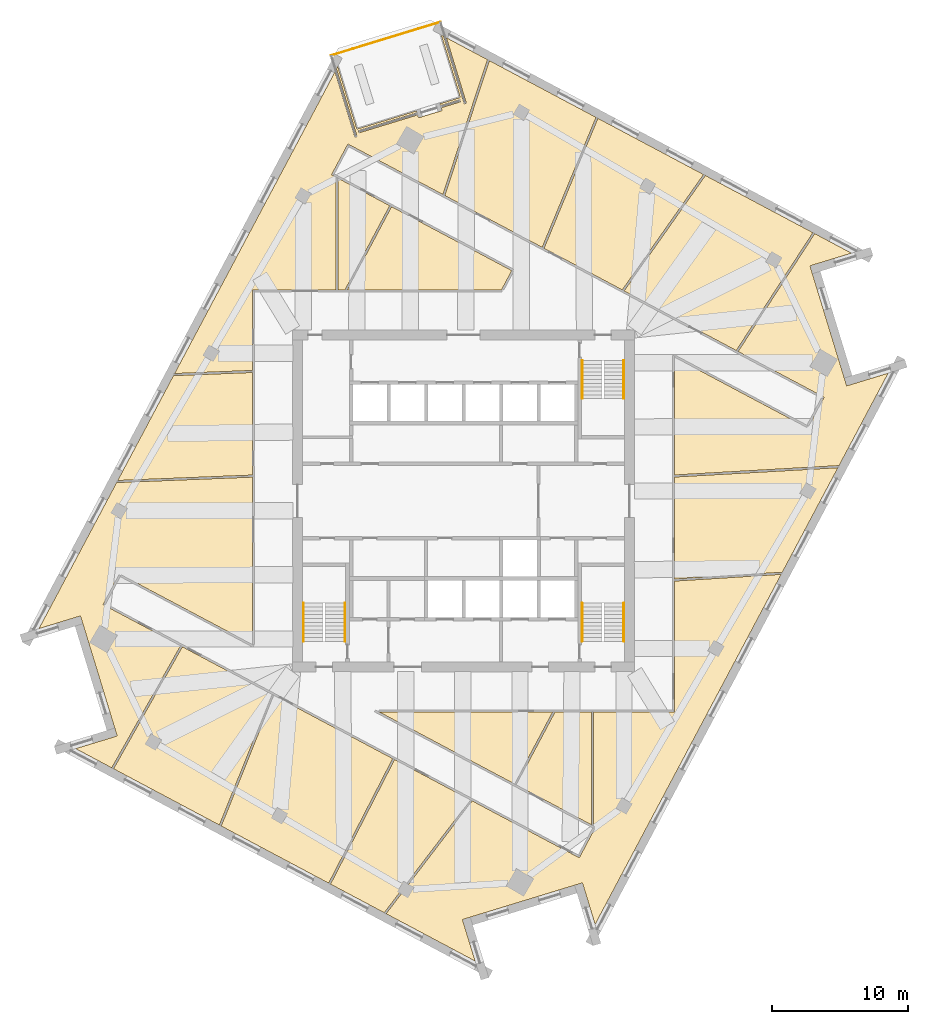
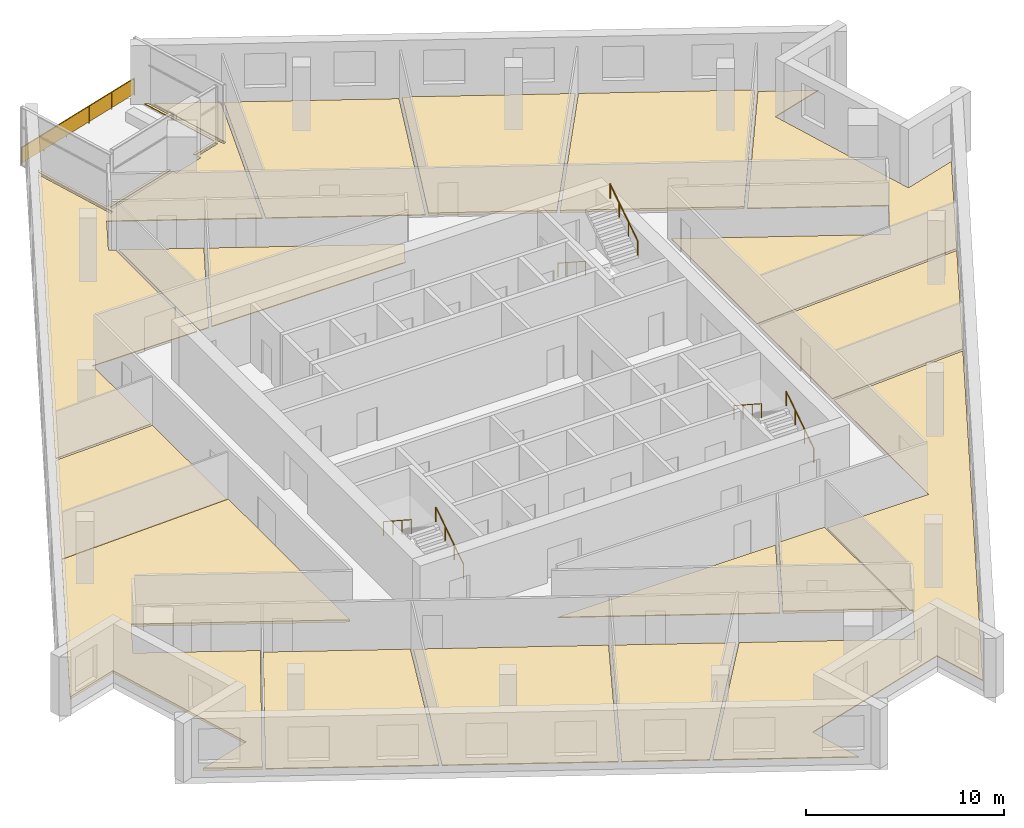
# One storey, part 12 of 13: 16 coverings, 7 railings.
"""IFC4 building model written with IfcOpenShell, lengths in metres."""

from ifc_helpers import new_model, si_unit, direction, frame, origin, origin_2d, place, context, subcontext, project, spatial, polyline, rectangle, circle, outline, extrude, material, layer, layer_set, type_object, element, save


model = new_model("IFC4")

# Units and contexts
model_context = context("Model", 3, precision=1e-05, world=origin(), true_north=direction((0.0, 1.0)))
body_context = subcontext(model_context, "Body", "Model", "MODEL_VIEW")
ifc_project = project(units=[si_unit("LENGTHUNIT", "METRE"), si_unit("AREAUNIT", "SQUARE_METRE"), si_unit("VOLUMEUNIT", "CUBIC_METRE"), si_unit("PLANEANGLEUNIT", "RADIAN"), si_unit("MASSUNIT", "GRAM", prefix="KILO")], contexts=[model_context])

# Site, building, storey
site_placement = place(None, origin())
site = spatial("IfcSite", under=ifc_project, at=site_placement, CompositionType="ELEMENT")
building_placement = place(site_placement, origin())
building = spatial("IfcBuilding", under=site, at=building_placement, Name="Dilmun Exchange Tower", CompositionType="ELEMENT")
storey_placement = place(building_placement, frame((0.0, 0.0, 278.89990234375)))
storey = spatial("IfcBuildingStorey", under=building, at=storey_placement, Name="L66", CompositionType="ELEMENT", Elevation=278.89990234375)

# Coverings
ifc_material_1 = material(Name="Carpet floor finish 50")
ifc_layer_1 = layer(ifc_material_1, 0.050048828125)
ifc_layer_set_1 = layer_set([ifc_layer_1], Name="Carpet floor finish 50")
covering_type_1 = type_object("IfcCoveringType", Name="Carpet floor finish 50", PredefinedType="FLOORING", material=ifc_layer_set_1)
covering_1_placement = place(storey_placement, origin())
element("IfcCovering", 1, at=covering_1_placement, inside=storey, type_object=covering_type_1, Name="Carpet floor finish 50 Regulator office 1", PredefinedType="FLOORING", context=body_context, shape_type="SweptSolid", body=[
    extrude(outline(polyline([(-15.47509765625, 9.41845703125), (-15.47509765625, 1.894287109375), (-25.36328125, 1.49853515625), (-21.27587890625, 9.18603515625), (-15.47509765625, 9.41845703125)])), origin(), (0.0, 0.0, 1.0), 0.050048828125),
])
covering_2_placement = place(storey_placement, origin())
element("IfcCovering", 2, at=covering_2_placement, inside=storey, type_object=covering_type_1, Name="Carpet floor finish 50 Research library 1", PredefinedType="FLOORING", context=body_context, shape_type="SweptSolid", body=[
    extrude(outline(polyline([(-14.049560546875, -14.189453125), (-17.90673828125, -23.774169921875), (-25.670654296875, -19.64599609375), (-20.620849609375, -10.695556640625), (-14.049560546875, -14.189453125)])), origin(), (0.0, 0.0, 1.0), 0.050048828125),
])
covering_3_placement = place(storey_placement, origin())
element("IfcCovering", 3, at=covering_3_placement, inside=storey, type_object=covering_type_1, Name="Carpet floor finish 50 Regulator office 2", PredefinedType="FLOORING", context=body_context, shape_type="SweptSolid", body=[
    extrude(outline(polyline([(-5.194091796875, -18.89794921875), (-9.89208984375, -28.035400390625), (-17.773681640625, -23.844970703125), (-13.916259765625, -14.26025390625), (-5.194091796875, -18.89794921875)])), origin(), (0.0, 0.0, 1.0), 0.050048828125),
])
covering_4_placement = place(storey_placement, origin())
element("IfcCovering", 4, at=covering_4_placement, inside=storey, type_object=covering_type_1, Name="Carpet floor finish 50 Garden lounge", PredefinedType="FLOORING", context=body_context, shape_type="SweptSolid", body=[
    extrude(outline(polyline([(-9.368896484375, 15.47509765625), (-15.47509765625, 15.47509765625), (-15.47509765625, 9.568603515625), (-21.194091796875, 9.339599609375), (-9.428466796875, 31.467529296875), (-7.962890625, 26.673583984375), (-7.962890625, 26.67333984375), (-7.962646484375, 26.673095703125), (-7.962646484375, 26.673095703125), (-7.96240234375, 26.6728515625), (-7.96240234375, 26.672607421875), (-7.962158203125, 26.672607421875), (-7.9619140625, 26.67236328125), (-7.9619140625, 26.67236328125), (-7.961669921875, 26.67236328125), (-7.96142578125, 26.672119140625), (-7.961181640625, 26.672119140625), (-7.961181640625, 26.672119140625), (-7.9609375, 26.672119140625), (-7.960693359375, 26.672119140625), (-7.96044921875, 26.672119140625), (-7.960205078125, 26.672119140625), (-7.807373046875, 26.718994140625), (-7.80712890625, 26.718994140625), (-7.806884765625, 26.718994140625), (-7.806884765625, 26.71923828125), (-7.806640625, 26.71923828125), (-7.806396484375, 26.719482421875), (-7.806396484375, 26.719482421875), (-7.80615234375, 26.7197265625), (-7.80615234375, 26.719970703125), (-7.805908203125, 26.72021484375), (-7.805908203125, 26.72021484375), (-7.805908203125, 26.720458984375), (-7.805908203125, 26.720703125), (-7.805908203125, 26.720947265625), (-7.805908203125, 26.72119140625), (-7.805908203125, 26.72119140625), (-7.805908203125, 26.721435546875), (-9.319580078125, 31.67236328125), (-9.224609375, 31.850830078125), (-7.82275390625, 27.265380859375), (-3.4599609375, 28.59912109375), (-3.418212890625, 28.46240234375), (-7.709228515625, 27.150390625), (-7.70947265625, 27.150390625), (-7.70947265625, 27.150390625), (-7.709716796875, 27.150390625), (-7.7099609375, 27.150146484375), (-7.7099609375, 27.14990234375), (-7.710205078125, 27.14990234375), (-7.710205078125, 27.149658203125), (-7.71044921875, 27.1494140625), (-7.71044921875, 27.1494140625), (-7.71044921875, 27.149169921875), (-7.710693359375, 27.14892578125), (-7.710693359375, 27.148681640625), (-7.710693359375, 27.148681640625), (-7.710693359375, 27.1484375), (-7.710693359375, 27.148193359375), (-7.71044921875, 27.14794921875), (-7.663818359375, 26.9951171875), (-7.663818359375, 26.994873046875), (-7.66357421875, 26.99462890625), (-7.66357421875, 26.994384765625), (-7.663330078125, 26.994384765625), (-7.6630859375, 26.994140625), (-7.6630859375, 26.993896484375), (-7.662841796875, 26.993896484375), (-7.66259765625, 26.993896484375), (-7.66259765625, 26.99365234375), (-7.662353515625, 26.99365234375), (-7.662109375, 26.99365234375), (-7.662109375, 26.99365234375), (-7.661865234375, 26.99365234375), (-7.66162109375, 26.99365234375), (-7.661376953125, 26.99365234375), (-7.6611328125, 26.99365234375), (-3.3701171875, 28.3056640625), (-3.306396484375, 28.09716796875), (-3.306396484375, 28.096923828125), (-3.306396484375, 28.0966796875), (-3.306396484375, 28.0966796875), (-3.30615234375, 28.096435546875), (-3.305908203125, 28.09619140625), (-3.305908203125, 28.09619140625), (-3.3056640625, 28.095947265625), (-3.305419921875, 28.095947265625), (-3.305419921875, 28.095947265625), (-3.30517578125, 28.095703125), (-3.304931640625, 28.095703125), (-3.3046875, 28.095703125), (-3.3046875, 28.095703125), (-3.304443359375, 28.095703125), (-3.30419921875, 28.095703125), (-3.303955078125, 28.095703125), (-1.58251953125, 28.6220703125), (-1.58251953125, 28.6220703125), (-1.582275390625, 28.6220703125), (-1.58203125, 28.622314453125), (-1.581787109375, 28.622314453125), (-1.581787109375, 28.62255859375), (-1.581787109375, 28.62255859375), (-1.58154296875, 28.622802734375), (-1.581298828125, 28.623046875), (-1.581298828125, 28.623046875), (-1.581298828125, 28.623291015625), (-1.581298828125, 28.62353515625), (-1.581298828125, 28.623779296875), (-1.581298828125, 28.623779296875), (-1.581298828125, 28.6240234375), (-1.581298828125, 28.624267578125), (-1.581298828125, 28.62451171875), (-1.64501953125, 28.8330078125), (-0.222900390625, 29.267822265625), (-0.22265625, 29.267822265625), (-0.22265625, 29.267822265625), (-0.222412109375, 29.26806640625), (-0.22216796875, 29.268310546875), (-0.22216796875, 29.268310546875), (-0.221923828125, 29.268310546875), (-0.2216796875, 29.2685546875), (-0.2216796875, 29.268798828125), (-0.2216796875, 29.268798828125), (-0.2216796875, 29.26904296875), (-0.221435546875, 29.269287109375), (-0.221435546875, 29.26953125), (-0.221435546875, 29.269775390625), (-0.221435546875, 29.27001953125), (-0.221435546875, 29.27001953125), (-0.2216796875, 29.270263671875), (-0.268310546875, 29.42333984375), (-0.268310546875, 29.423583984375), (-0.2685546875, 29.423583984375), (-0.2685546875, 29.423828125), (-0.268798828125, 29.424072265625), (-0.268798828125, 29.424072265625), (-0.26904296875, 29.42431640625), (-0.269287109375, 29.42431640625), (-0.269287109375, 29.424560546875), (-0.26953125, 29.424560546875), (-0.269775390625, 29.424560546875), (-0.27001953125, 29.4248046875), (-0.27001953125, 29.4248046875), (-0.270263671875, 29.4248046875), (-0.2705078125, 29.4248046875), (-0.270751953125, 29.4248046875), (-0.27099609375, 29.424560546875), (-1.693115234375, 28.98974609375), (-1.73486328125, 29.126708984375), (-0.240966796875, 29.583251953125), (-1.642822265625, 34.1689453125), (-1.46435546875, 34.073974609375), (0.04931640625, 29.123046875), (0.04931640625, 29.122802734375), (0.04931640625, 29.122802734375), (0.049560546875, 29.12255859375), (0.0498046875, 29.122314453125), (0.0498046875, 29.122314453125), (0.0498046875, 29.1220703125), (0.050048828125, 29.121826171875), (0.05029296875, 29.121826171875), (0.05029296875, 29.121826171875), (0.050537109375, 29.12158203125), (0.05078125, 29.12158203125), (0.051025390625, 29.12158203125), (0.05126953125, 29.12158203125), (0.051513671875, 29.12158203125), (0.051513671875, 29.12158203125), (0.0517578125, 29.12158203125), (0.204833984375, 29.16845703125), (0.205078125, 29.16845703125), (0.205078125, 29.168701171875), (0.205322265625, 29.168701171875), (0.20556640625, 29.168701171875), (0.20556640625, 29.1689453125), (0.205810546875, 29.169189453125), (0.205810546875, 29.169189453125), (0.2060546875, 29.16943359375), (0.2060546875, 29.169677734375), (0.2060546875, 29.169921875), (0.206298828125, 29.169921875), (0.206298828125, 29.170166015625), (0.206298828125, 29.17041015625), (0.206298828125, 29.170654296875), (0.206298828125, 29.1708984375), (0.2060546875, 29.1708984375), (-1.259521484375, 33.965087890625), (1.754638671875, 32.3623046875), (-1.515380859375, 22.465576171875), (-8.48193359375, 26.169677734375), (-9.67919921875, 23.918212890625), (-9.368896484375, 23.75341796875), (-9.368896484375, 15.47509765625)])), origin(), (0.0, 0.0, 1.0), 0.050048828125),
])
covering_5_placement = place(storey_placement, origin())
element("IfcCovering", 5, at=covering_5_placement, inside=storey, type_object=covering_type_1, Name="Carpet floor finish 50 Regulator office 3", PredefinedType="FLOORING", context=body_context, shape_type="SweptSolid", body=[
    extrude(outline(polyline([(0.49951171875, -21.92529296875), (-5.816650390625, -30.202392578125), (-9.759765625, -28.10595703125), (-5.0615234375, -18.968505859375), (0.49951171875, -21.92529296875)])), origin(), (0.0, 0.0, 1.0), 0.050048828125),
])
covering_6_placement = place(storey_placement, origin())
element("IfcCovering", 6, at=covering_6_placement, inside=storey, type_object=covering_type_1, Name="Carpet floor finish 50 Regulator office 4", PredefinedType="FLOORING", context=body_context, shape_type="SweptSolid", body=[
    extrude(outline(polyline([(3.537353515625, 16.890869140625), (2.78466796875, 15.47509765625), (-8.526611328125, 15.47509765625), (-5.28076171875, 21.579345703125), (3.537353515625, 16.890869140625)])), origin(), (0.0, 0.0, 1.0), 0.050048828125),
])
covering_7_placement = place(storey_placement, origin())
element("IfcCovering", 7, at=covering_7_placement, inside=storey, type_object=covering_type_1, Name="Carpet floor finish 50 Regulator office 5", PredefinedType="FLOORING", context=body_context, shape_type="SweptSolid", body=[
    extrude(outline(polyline([(-0.740966796875, -18.377685546875), (-6.2001953125, -15.47509765625), (6.538818359375, -15.47509765625), (3.731201171875, -20.755615234375), (-0.740966796875, -18.377685546875)])), origin(), (0.0, 0.0, 1.0), 0.050048828125),
])
covering_8_placement = place(storey_placement, origin())
element("IfcCovering", 8, at=covering_8_placement, inside=storey, type_object=covering_type_1, Name="Carpet floor finish 50 Supervision hall", PredefinedType="FLOORING", context=body_context, shape_type="SweptSolid", body=[
    extrude(outline(polyline([(1.888916015625, 32.291015625), (9.716064453125, 28.129150390625), (5.76611328125, 18.59375), (-1.381103515625, 22.39404296875), (1.888916015625, 32.291015625)])), origin(), (0.0, 0.0, 1.0), 0.050048828125),
])
covering_9_placement = place(storey_placement, origin())
element("IfcCovering", 9, at=covering_9_placement, inside=storey, type_object=covering_type_1, Name="Carpet floor finish 50 Research library 2", PredefinedType="FLOORING", context=body_context, shape_type="SweptSolid", body=[
    extrude(outline(polyline([(15.47509765625, -15.47509765625), (15.47509765625, -5.87890625), (23.29638671875, -5.385986328125), (9.648193359375, -31.054443359375), (8.7177734375, -28.01123046875), (8.7177734375, -28.010986328125), (8.7177734375, -28.0107421875), (8.717529296875, -28.0107421875), (8.71728515625, -28.010498046875), (8.71728515625, -28.010498046875), (8.71728515625, -28.01025390625), (8.717041015625, -28.010009765625), (8.716796875, -28.010009765625), (8.716796875, -28.010009765625), (8.716552734375, -28.010009765625), (8.71630859375, -28.009765625), (8.716064453125, -28.009765625), (8.7158203125, -28.009765625), (8.7158203125, -28.009765625), (8.715576171875, -28.009765625), (8.71533203125, -28.010009765625), (8.1416015625, -28.185302734375), (8.141357421875, -28.185302734375), (8.141357421875, -28.185302734375), (0.4912109375, -30.5244140625), (-0.082763671875, -30.69970703125), (-0.0830078125, -30.69970703125), (-0.0830078125, -30.69970703125), (-0.083251953125, -30.699951171875), (-0.08349609375, -30.7001953125), (-0.08349609375, -30.7001953125), (-0.08349609375, -30.7001953125), (-0.083740234375, -30.700439453125), (-0.083984375, -30.70068359375), (-0.083984375, -30.70068359375), (-0.083984375, -30.700927734375), (-0.083984375, -30.701171875), (-0.083984375, -30.701416015625), (-0.083984375, -30.70166015625), (-0.083984375, -30.701904296875), (-0.083984375, -30.701904296875), (-0.083984375, -30.7021484375), (0.846435546875, -33.745361328125), (-5.6826171875, -30.27392578125), (0.633544921875, -21.99658203125), (8.48193359375, -26.169677734375), (9.67919921875, -23.918212890625), (9.53662109375, -23.84228515625), (9.53662109375, -15.47509765625), (15.47509765625, -15.47509765625)])), origin(), (0.0, 0.0, 1.0), 0.050048828125),
])
covering_10_placement = place(storey_placement, origin())
element("IfcCovering", 10, at=covering_10_placement, inside=storey, type_object=covering_type_1, Name="Carpet floor finish 50 Regulator office 6", PredefinedType="FLOORING", context=body_context, shape_type="SweptSolid", body=[
    extrude(outline(polyline([(15.47509765625, 1.750244140625), (27.454345703125, 2.43408203125), (23.37890625, -5.230712890625), (15.47509765625, -5.728515625), (15.47509765625, 1.750244140625)])), origin(), (0.0, 0.0, 1.0), 0.050048828125),
])
covering_11_placement = place(storey_placement, origin())
element("IfcCovering", 11, at=covering_11_placement, inside=storey, type_object=covering_type_1, Name="Carpet floor finish 50 Regulator office 7", PredefinedType="FLOORING", context=body_context, shape_type="SweptSolid", body=[
    extrude(outline(polyline([(25.241455078125, 5.3505859375), (26.438720703125, 7.60205078125), (20.131591796875, 10.95556640625), (25.7529296875, 19.602294921875), (28.449462890625, 18.16845703125), (25.40625, 17.238037109375), (25.406005859375, 17.238037109375), (25.406005859375, 17.238037109375), (25.40576171875, 17.23779296875), (25.405517578125, 17.23779296875), (25.405517578125, 17.237548828125), (25.4052734375, 17.237548828125), (25.4052734375, 17.2373046875), (25.405029296875, 17.237060546875), (25.405029296875, 17.237060546875), (25.405029296875, 17.23681640625), (25.40478515625, 17.236572265625), (25.40478515625, 17.236328125), (25.40478515625, 17.236083984375), (25.40478515625, 17.236083984375), (25.40478515625, 17.23583984375), (25.405029296875, 17.235595703125), (25.580322265625, 16.662109375), (25.580322265625, 16.661865234375), (27.91943359375, 9.011474609375), (28.0947265625, 8.4375), (28.094970703125, 8.4375), (28.094970703125, 8.437255859375), (28.09521484375, 8.43701171875), (28.09521484375, 8.43701171875), (28.09521484375, 8.436767578125), (28.095458984375, 8.436767578125), (28.095703125, 8.4365234375), (28.095703125, 8.436279296875), (28.095947265625, 8.436279296875), (28.09619140625, 8.436279296875), (28.09619140625, 8.436279296875), (28.096435546875, 8.436279296875), (28.0966796875, 8.436279296875), (28.096923828125, 8.436279296875), (28.09716796875, 8.436279296875), (28.097412109375, 8.436279296875), (31.140380859375, 9.36669921875), (27.536865234375, 2.589111328125), (15.47509765625, 1.900390625), (15.47509765625, 10.54345703125), (25.241455078125, 5.3505859375)])), origin(), (0.0, 0.0, 1.0), 0.050048828125),
])
ifc_material_2 = material(Name="Raised access floor 150")
ifc_layer_2 = layer(ifc_material_2, 0.14990234375)
ifc_layer_set_2 = layer_set([ifc_layer_2], Name="Raised access floor 150")
covering_type_2 = type_object("IfcCoveringType", Name="Raised access floor 150", PredefinedType="FLOORING", material=ifc_layer_set_2)
covering_12_placement = place(storey_placement, origin())
element("IfcCovering", 12, at=covering_12_placement, inside=storey, type_object=covering_type_2, Name="Raised access floor 150 Analytics room 1", PredefinedType="FLOORING", context=body_context, shape_type="SweptSolid", body=[
    extrude(outline(polyline([(-15.47509765625, 1.743896484375), (-15.47509765625, -10.54345703125), (-25.241455078125, -5.3505859375), (-26.438720703125, -7.60205078125), (-20.753173828125, -10.625), (-25.802978515625, -19.57568359375), (-28.449462890625, -18.16845703125), (-25.40625, -17.238037109375), (-25.406005859375, -17.238037109375), (-25.406005859375, -17.238037109375), (-25.40576171875, -17.23779296875), (-25.405517578125, -17.23779296875), (-25.405517578125, -17.237548828125), (-25.4052734375, -17.237548828125), (-25.4052734375, -17.2373046875), (-25.405029296875, -17.237060546875), (-25.405029296875, -17.237060546875), (-25.405029296875, -17.23681640625), (-25.40478515625, -17.236572265625), (-25.40478515625, -17.236328125), (-25.40478515625, -17.236083984375), (-25.40478515625, -17.236083984375), (-25.40478515625, -17.23583984375), (-25.405029296875, -17.235595703125), (-25.580322265625, -16.662109375), (-25.580322265625, -16.661865234375), (-27.91943359375, -9.011474609375), (-28.0947265625, -8.4375), (-28.094970703125, -8.4375), (-28.094970703125, -8.437255859375), (-28.09521484375, -8.43701171875), (-28.09521484375, -8.43701171875), (-28.09521484375, -8.436767578125), (-28.095458984375, -8.436767578125), (-28.095703125, -8.4365234375), (-28.095703125, -8.436279296875), (-28.095947265625, -8.436279296875), (-28.09619140625, -8.436279296875), (-28.09619140625, -8.436279296875), (-28.096435546875, -8.436279296875), (-28.0966796875, -8.436279296875), (-28.096923828125, -8.436279296875), (-28.09716796875, -8.436279296875), (-28.097412109375, -8.436279296875), (-31.140380859375, -9.36669921875), (-25.44482421875, 1.34521484375), (-15.47509765625, 1.743896484375)])), origin(), (0.0, 0.0, 1.0), 0.150146484375),
])
covering_13_placement = place(storey_placement, origin())
element("IfcCovering", 13, at=covering_13_placement, inside=storey, type_object=covering_type_2, Name="Raised access floor 150 Analytics room 2", PredefinedType="FLOORING", context=body_context, shape_type="SweptSolid", body=[
    extrude(outline(polyline([(9.38671875, -15.47509765625), (9.38671875, -23.7626953125), (3.863525390625, -20.825927734375), (6.708740234375, -15.47509765625), (9.38671875, -15.47509765625)])), origin(), (0.0, 0.0, 1.0), 0.150146484375),
])
covering_14_placement = place(storey_placement, origin())
element("IfcCovering", 14, at=covering_14_placement, inside=storey, type_object=covering_type_2, Name="Raised access floor 150 Analytics room 3", PredefinedType="FLOORING", context=body_context, shape_type="SweptSolid", body=[
    extrude(outline(polyline([(5.899169921875, 18.523193359375), (9.84912109375, 28.058349609375), (17.599853515625, 23.937255859375), (11.638671875, 15.47119140625), (5.899169921875, 18.523193359375)])), origin(), (0.0, 0.0, 1.0), 0.150146484375),
])
covering_15_placement = place(storey_placement, origin())
element("IfcCovering", 15, at=covering_15_placement, inside=storey, type_object=covering_type_2, Name="Raised access floor 150 Analytics room 4", PredefinedType="FLOORING", context=body_context, shape_type="SweptSolid", body=[
    extrude(outline(polyline([(11.772216796875, 15.400390625), (17.7333984375, 23.8662109375), (25.6201171875, 19.6728515625), (19.99853515625, 11.0263671875), (11.772216796875, 15.400390625)])), origin(), (0.0, 0.0, 1.0), 0.150146484375),
])

# Railings
ifc_material_3 = material(Name="Stainless steel", Category="steel")
railing_type_1 = type_object("IfcRailingType", Name="Stair handrail 900", PredefinedType="HANDRAIL", material=ifc_material_3)
railing_1_placement = place(storey_placement, frame((8.699951171875, 10.300048828125, 0.181884765625)))
element("IfcRailing", 16, at=railing_1_placement, inside=storey, type_object=railing_type_1, Name="L66 ST1 stair handrail 1", PredefinedType="HANDRAIL", context=body_context, shape_type="SweptSolid", body=[
    extrude(circle(Radius=0.02392578125, at=origin_2d()), frame((0.0, 0.0, 0.8759765625), z_axis=(0.0, -0.838705829183, 0.544584733623), x_axis=(1.0, 0.0, 0.0)), (0.0, 0.0, 1.0), 3.338623046875),
    extrude(circle(Radius=0.02099609375, at=origin_2d()), origin(), (0.0, 0.0, 1.0), 0.851806640625),
    extrude(circle(Radius=0.02099609375, at=origin_2d()), frame((0.0, -0.933349609375, 0.60595703125)), (0.0, 0.0, 1.0), 0.851806640625),
    extrude(circle(Radius=0.02099609375, at=origin_2d()), frame((0.0, -1.86669921875, 1.212158203125)), (0.0, 0.0, 1.0), 0.851806640625),
    extrude(circle(Radius=0.02099609375, at=origin_2d()), frame((0.0, -2.800048828125, 1.818115234375)), (0.0, 0.0, 1.0), 0.851806640625),
])
for number, where, name in (
    (17, (11.75, 7.5, 2.181884765625), "L66 ST1 stair handrail 2"),
    (18, (-8.699951171875, -10.300048828125, 0.181884765625), "L66 ST2 stair handrail 1"),
):
    element("IfcRailing", number, at=place(storey_placement, frame(where)), inside=storey, type_object=railing_type_1, Name=name, PredefinedType="HANDRAIL", context=body_context, shape_type="SweptSolid", body=[
        extrude(circle(Radius=0.02392578125, at=origin_2d()), frame((0.0, 0.0, 0.8759765625), z_axis=(0.0, 0.838705829183, 0.544584733623), x_axis=(-1.0, 0.0, 0.0)), (0.0, 0.0, 1.0), 3.338623046875),
        extrude(circle(Radius=0.02099609375, at=origin_2d()), origin(), (0.0, 0.0, 1.0), 0.851806640625),
        extrude(circle(Radius=0.02099609375, at=origin_2d()), frame((0.0, 0.933349609375, 0.60595703125)), (0.0, 0.0, 1.0), 0.851806640625),
        extrude(circle(Radius=0.02099609375, at=origin_2d()), frame((0.0, 1.86669921875, 1.212158203125)), (0.0, 0.0, 1.0), 0.851806640625),
        extrude(circle(Radius=0.02099609375, at=origin_2d()), frame((0.0, 2.800048828125, 1.818115234375)), (0.0, 0.0, 1.0), 0.851806640625),
    ])
railing_2_placement = place(storey_placement, frame((-11.75, -7.5, 2.181884765625)))
element("IfcRailing", 19, at=railing_2_placement, inside=storey, type_object=railing_type_1, Name="L66 ST2 stair handrail 2", PredefinedType="HANDRAIL", context=body_context, shape_type="SweptSolid", body=[
    extrude(circle(Radius=0.02392578125, at=origin_2d()), frame((0.0, 0.0, 0.8759765625), z_axis=(0.0, -0.838705829183, 0.544584733623), x_axis=(1.0, 0.0, 0.0)), (0.0, 0.0, 1.0), 3.338623046875),
    extrude(circle(Radius=0.02099609375, at=origin_2d()), origin(), (0.0, 0.0, 1.0), 0.851806640625),
    extrude(circle(Radius=0.02099609375, at=origin_2d()), frame((0.0, -0.933349609375, 0.60595703125)), (0.0, 0.0, 1.0), 0.851806640625),
    extrude(circle(Radius=0.02099609375, at=origin_2d()), frame((0.0, -1.86669921875, 1.212158203125)), (0.0, 0.0, 1.0), 0.851806640625),
    extrude(circle(Radius=0.02099609375, at=origin_2d()), frame((0.0, -2.800048828125, 1.818115234375)), (0.0, 0.0, 1.0), 0.851806640625),
])
railing_3_placement = place(storey_placement, frame((11.75, -10.300048828125, 0.181884765625)))
element("IfcRailing", 20, at=railing_3_placement, inside=storey, type_object=railing_type_1, Name="L66 ST3 stair handrail 1", PredefinedType="HANDRAIL", context=body_context, shape_type="SweptSolid", body=[
    extrude(circle(Radius=0.02392578125, at=origin_2d()), frame((0.0, 0.0, 0.8759765625), z_axis=(0.0, 0.838705829183, 0.544584733623), x_axis=(-1.0, 0.0, 0.0)), (0.0, 0.0, 1.0), 3.338623046875),
    extrude(circle(Radius=0.02099609375, at=origin_2d()), origin(), (0.0, 0.0, 1.0), 0.851806640625),
    extrude(circle(Radius=0.02099609375, at=origin_2d()), frame((0.0, 0.933349609375, 0.60595703125)), (0.0, 0.0, 1.0), 0.851806640625),
    extrude(circle(Radius=0.02099609375, at=origin_2d()), frame((0.0, 1.86669921875, 1.212158203125)), (0.0, 0.0, 1.0), 0.851806640625),
    extrude(circle(Radius=0.02099609375, at=origin_2d()), frame((0.0, 2.800048828125, 1.818115234375)), (0.0, 0.0, 1.0), 0.851806640625),
])
railing_4_placement = place(storey_placement, frame((8.699951171875, -7.5, 2.181884765625)))
element("IfcRailing", 21, at=railing_4_placement, inside=storey, type_object=railing_type_1, Name="L66 ST3 stair handrail 2", PredefinedType="HANDRAIL", context=body_context, shape_type="SweptSolid", body=[
    extrude(circle(Radius=0.02392578125, at=origin_2d()), frame((0.0, 0.0, 0.8759765625), z_axis=(0.0, -0.838705829183, 0.544584733623), x_axis=(1.0, 0.0, 0.0)), (0.0, 0.0, 1.0), 3.338623046875),
    extrude(circle(Radius=0.02099609375, at=origin_2d()), origin(), (0.0, 0.0, 1.0), 0.851806640625),
    extrude(circle(Radius=0.02099609375, at=origin_2d()), frame((0.0, -0.933349609375, 0.60595703125)), (0.0, 0.0, 1.0), 0.851806640625),
    extrude(circle(Radius=0.02099609375, at=origin_2d()), frame((0.0, -1.86669921875, 1.212158203125)), (0.0, 0.0, 1.0), 0.851806640625),
    extrude(circle(Radius=0.02099609375, at=origin_2d()), frame((0.0, -2.800048828125, 1.818115234375)), (0.0, 0.0, 1.0), 0.851806640625),
])
railing_type_2 = type_object("IfcRailingType", Name="Terrace guard 1100 stainless steel", PredefinedType="GUARDRAIL", material=ifc_material_3)
railing_5_placement = place(storey_placement, frame((-9.710693359375, 32.6708984375, 0.0)))
element("IfcRailing", 22, at=railing_5_placement, inside=storey, type_object=railing_type_2, Name="Terrace guard 1", PredefinedType="GUARDRAIL", context=body_context, shape_type="SweptSolid", body=[
    extrude(circle(Radius=0.02392578125, at=origin_2d()), frame((0.0, 0.0, 1.076171875), z_axis=(0.956300433747, 0.292385841679, 0.0), x_axis=(-0.292385841679, 0.956300433747, 0.0)), (0.0, 0.0, 1.0), 8.37841796875),
    extrude(rectangle(XDim=0.011962890625, YDim=0.951904296875, at=origin_2d()), frame((0.0, 0.0, 0.576171875), z_axis=(0.956300433747, 0.292385841679, 0.0), x_axis=(-0.292385841679, 0.956300433747, 0.0)), (0.0, 0.0, 1.0), 8.37841796875),
    extrude(circle(Radius=0.02099609375, at=origin_2d()), origin(), (0.0, 0.0, 1.0), 1.052001953125),
    extrude(circle(Radius=0.02099609375, at=origin_2d()), frame((1.6025390625, 0.489990234375, 0.0)), (0.0, 0.0, 1.0), 1.052001953125),
    extrude(circle(Radius=0.02099609375, at=origin_2d()), frame((3.204833984375, 0.97998046875, 0.0)), (0.0, 0.0, 1.0), 1.052001953125),
    extrude(circle(Radius=0.02099609375, at=origin_2d()), frame((4.807373046875, 1.4697265625, 0.0)), (0.0, 0.0, 1.0), 1.052001953125),
    extrude(circle(Radius=0.02099609375, at=origin_2d()), frame((6.40966796875, 1.959716796875, 0.0)), (0.0, 0.0, 1.0), 1.052001953125),
    extrude(circle(Radius=0.02099609375, at=origin_2d()), frame((8.01220703125, 2.44970703125, 0.0)), (0.0, 0.0, 1.0), 1.052001953125),
])

# Covering
ifc_material_4 = material(Name="Tile floor finish 50")
ifc_layer_3 = layer(ifc_material_4, 0.050048828125)
ifc_layer_set_3 = layer_set([ifc_layer_3], Name="Tile floor finish 50")
covering_type_3 = type_object("IfcCoveringType", Name="Tile floor finish 50", PredefinedType="FLOORING", material=ifc_layer_set_3)
covering_16_placement = place(storey_placement, origin())
element("IfcCovering", 23, at=covering_16_placement, inside=storey, type_object=covering_type_3, Name="Tile floor finish 50 Pantry", PredefinedType="FLOORING", context=body_context, shape_type="SweptSolid", body=[
    extrude(outline(polyline([(-5.4130859375, 21.64990234375), (-8.6962890625, 15.47509765625), (-9.218994140625, 15.47509765625), (-9.218994140625, 23.673583984375), (-5.4130859375, 21.64990234375)])), origin(), (0.0, 0.0, 1.0), 0.050048828125),
])

save(model, "model.ifc")
